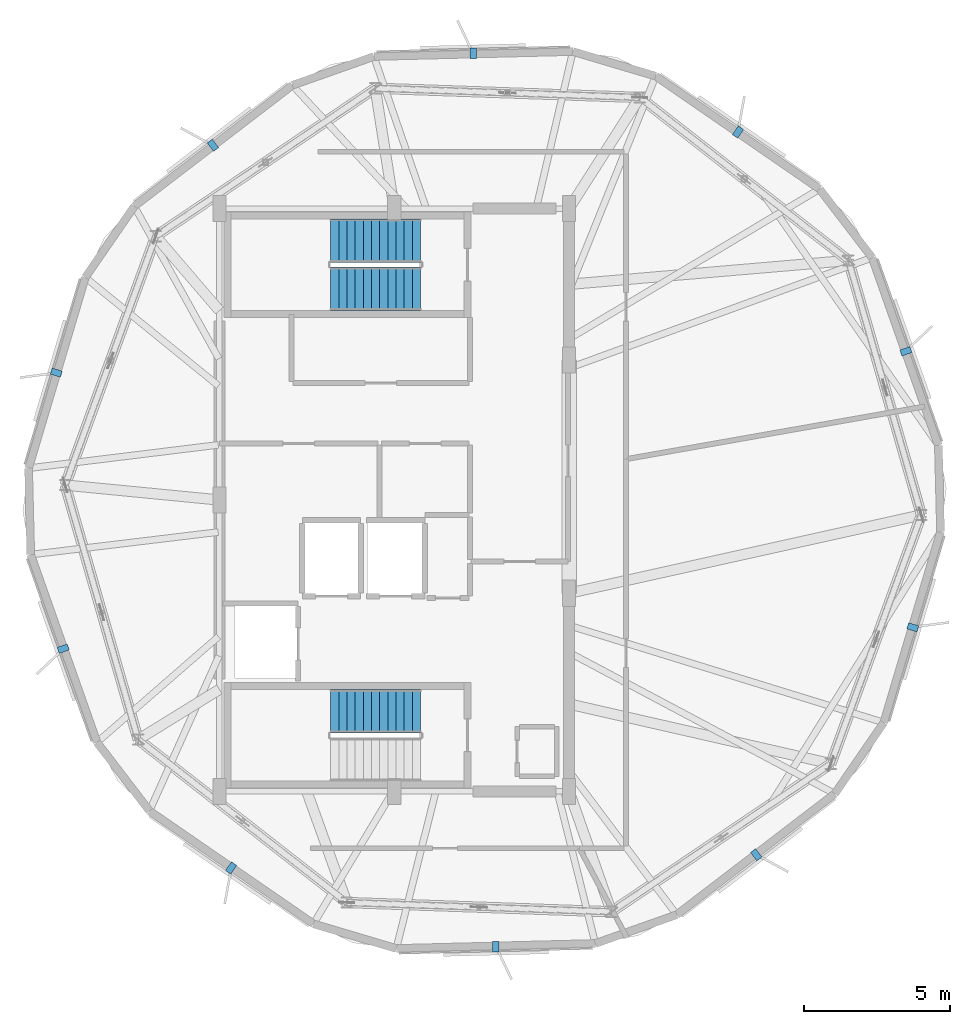
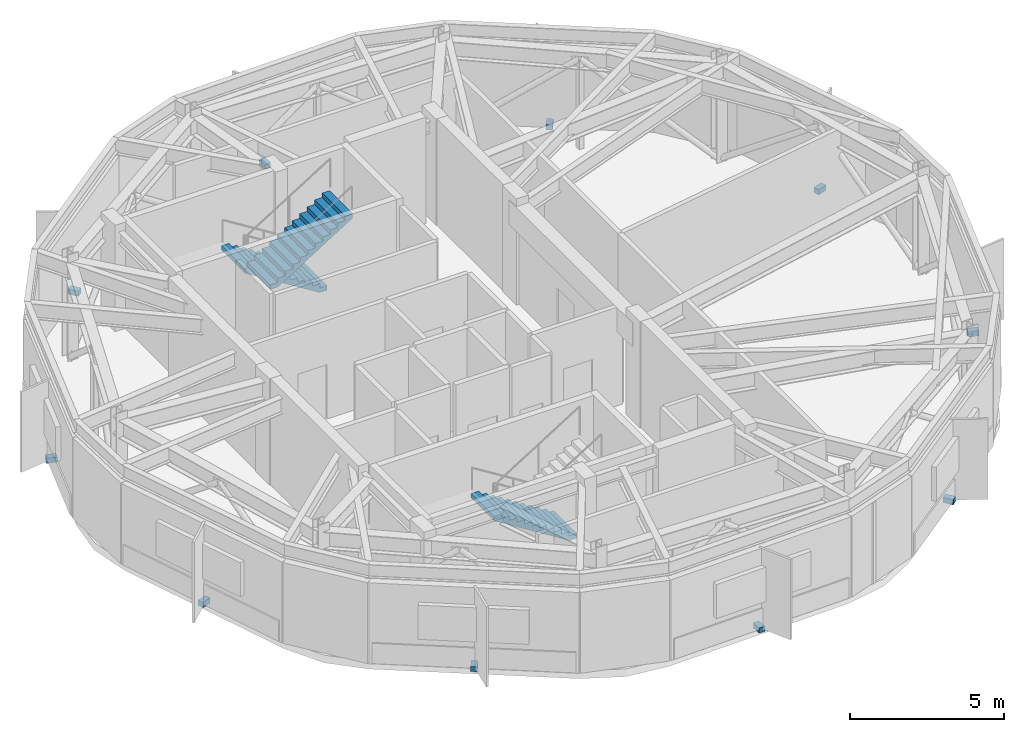
# One storey, part 6 of 9: 10 discrete accessories, 3 stair flights, 2 elements without a shape of their own.
"""IFC4 building model written with IfcOpenShell, lengths in metres."""

import ifcopenshell
import ifcopenshell.guid

model = None  # the IFC model being written
_history = None  # IfcOwnerHistory: only IFC2X3 demands one
_inside = {}  # id of a spatial element -> (the spatial element, [elements in it])
_under = {}  # id of a project, library or spatial element -> (it, [spatial elements below it])
_declared = {}  # id of a project -> (the project, [libraries it declares])
_typed = {}  # id of a type object -> (the type object, [elements of that type])
_made_of = {}  # id of a material, layer set ... -> (it, [elements and type objects made of it])


def new_model(schema):
    """Start an empty IFC model of exactly this schema.

    Asked for "IFC4X3", IfcOpenShell would pick the latest addendum, in which some entities
    have other attributes; the version numbers below select the first issue.
    IFC2X3 requires an IfcOwnerHistory on every rooted entity: one is made here for all.
    """
    global model, _history
    if schema == "IFC4X3":
        model = ifcopenshell.file(schema_version=(4, 3, 0, 0))
    else:
        model = ifcopenshell.file(schema=schema)
    _inside.clear()
    _under.clear()
    _declared.clear()
    _typed.clear()
    _made_of.clear()
    _history = None
    if model.schema == "IFC2X3":
        org = make("IfcOrganization", Name="unknown")
        user = make(
            "IfcPersonAndOrganization",
            ThePerson=make("IfcPerson", FamilyName="unknown"),
            TheOrganization=org,
        )
        app = make(
            "IfcApplication",
            ApplicationDeveloper=org,
            Version="unknown",
            ApplicationFullName="unknown",
            ApplicationIdentifier="unknown",
        )
        _history = make(
            "IfcOwnerHistory",
            OwningUser=user,
            OwningApplication=app,
            ChangeAction="ADDED",
            CreationDate=0,
        )
    return model


def make(cls, **values):
    """One entity of the class cls with the attributes given. An attribute that is None is left unset."""
    return model.create_entity(
        cls, **{name: value for name, value in values.items() if value is not None}
    )


def rooted(cls, **values):
    """An entity with a GlobalId (a new one), such as an element, a storey or a relation."""
    return make(cls, GlobalId=ifcopenshell.guid.new(), OwnerHistory=_history, **values)


def si_unit(unit_type, name, prefix=None):
    """IfcSIUnit, for example si_unit("LENGTHUNIT", "METRE", prefix="MILLI")."""
    return make("IfcSIUnit", UnitType=unit_type, Prefix=prefix, Name=name)


def assignment(units):
    """IfcUnitAssignment: the units of a project."""
    return None if units is None else make("IfcUnitAssignment", Units=units)


def point(xyz):
    """IfcCartesianPoint."""
    return None if xyz is None else make("IfcCartesianPoint", Coordinates=xyz)


def direction(xyz):
    """IfcDirection."""
    return None if xyz is None else make("IfcDirection", DirectionRatios=xyz)


def frame(location, z_axis=None, x_axis=None):
    """IfcAxis2Placement3D, a coordinate frame: its origin and axes. An axis left out is left unset."""
    return make(
        "IfcAxis2Placement3D",
        Location=point(location),
        Axis=direction(z_axis),
        RefDirection=direction(x_axis),
    )


def frame_2d(location, x_axis=None):
    """IfcAxis2Placement2D, a coordinate frame in the plane: its origin and x axis."""
    return make(
        "IfcAxis2Placement2D", Location=point(location), RefDirection=direction(x_axis)
    )


def origin():
    """The frame at (0, 0, 0) with its axes left unset."""
    return frame((0.0, 0.0, 0.0))


def origin_2d():
    """The frame at (0, 0) in the plane with its x axis left unset."""
    return frame_2d((0.0, 0.0))


def place(relative_to, where):
    """IfcLocalPlacement: puts the frame where relative to a parent placement (None: the world)."""
    return make(
        "IfcLocalPlacement", PlacementRelTo=relative_to, RelativePlacement=where
    )


def context(
    kind, dimensions, precision=None, world=None, true_north=None, identifier=None
):
    """IfcGeometricRepresentationContext, for example the 3D "Model" context."""
    return make(
        "IfcGeometricRepresentationContext",
        ContextIdentifier=identifier,
        ContextType=kind,
        CoordinateSpaceDimension=dimensions,
        Precision=precision,
        WorldCoordinateSystem=world,
        TrueNorth=true_north,
    )


def subcontext(parent, identifier, kind, view, scale=None):
    """IfcGeometricRepresentationSubContext, for example "Body" below "Model"."""
    return make(
        "IfcGeometricRepresentationSubContext",
        ContextIdentifier=identifier,
        ContextType=kind,
        ParentContext=parent,
        TargetScale=scale,
        TargetView=view,
    )


def project(units=None, contexts=None):
    """IfcProject with its units and contexts."""
    return rooted(
        "IfcProject",
        Name="project",
        RepresentationContexts=contexts,
        UnitsInContext=assignment(units),
    )


def spatial(cls, under=None, at=None, **own):
    """A site, building, storey or space (cls), placed at a placement, below another one or the project."""
    s = rooted(cls, ObjectPlacement=at, **own)
    if under is not None:
        _under.setdefault(under.id(), (under, []))[1].append(s)
    return s


def polyline(points):
    """IfcPolyline through the points."""
    return make("IfcPolyline", Points=[point(p) for p in points])


def profile(cls, at=None, kind="AREA", **sizes):
    """A parametric profile (cls). Its sizes go by their IFC names, for example OverallWidth=200.0."""
    return make(cls, ProfileType=kind, Position=at, **sizes)


def rectangle(**sizes):
    """IfcRectangleProfileDef."""
    return profile("IfcRectangleProfileDef", **sizes)


def outline(outer, holes=None, kind="AREA"):
    """IfcArbitraryClosedProfileDef: a profile drawn as a closed curve; with holes, ...WithVoids."""
    if holes is None:
        return make("IfcArbitraryClosedProfileDef", ProfileType=kind, OuterCurve=outer)
    return make(
        "IfcArbitraryProfileDefWithVoids",
        ProfileType=kind,
        OuterCurve=outer,
        InnerCurves=holes,
    )


def extrude(swept, where, along, depth):
    """IfcExtrudedAreaSolid: the profile swept, set in the frame where, extruded along a direction by depth."""
    return make(
        "IfcExtrudedAreaSolid",
        SweptArea=swept,
        Position=where,
        ExtrudedDirection=direction(along),
        Depth=depth,
    )


def shape(context_of_items, identifier, shape_type, items):
    """IfcShapeRepresentation: the items that make up one representation, for example the "Body"."""
    return make(
        "IfcShapeRepresentation",
        ContextOfItems=context_of_items,
        RepresentationIdentifier=identifier,
        RepresentationType=shape_type,
        Items=items,
    )


def material(Name=None, Category=None):
    """IfcMaterial."""
    return make("IfcMaterial", Name=Name, Category=Category)


def layer(
    of_material, thickness, ventilated=None, Name=None, Category=None, Priority=None
):
    """IfcMaterialLayer: one layer of a wall or slab, of a material (None: an air gap)."""
    return make(
        "IfcMaterialLayer",
        Material=of_material,
        LayerThickness=thickness,
        IsVentilated=ventilated,
        Name=Name,
        Category=Category,
        Priority=Priority,
    )


def layer_set(layers, Name=None):
    """IfcMaterialLayerSet."""
    return make("IfcMaterialLayerSet", MaterialLayers=layers, LayerSetName=Name)


def made_of(thing, what):
    """Note that an element or type object is made of a material, layer set ...; save() writes the relation."""
    if what is not None:
        _made_of.setdefault(what.id(), (what, []))[1].append(thing)
    return thing


def type_object(cls, material=None, **own):
    """A type object (cls), such as IfcWallType, which elements share."""
    return made_of(rooted(cls, **own), material)


def element(
    cls,
    number,
    at=None,
    inside=None,
    cuts=None,
    type_object=None,
    material=None,
    context=None,
    identifier="Body",
    shape_type=None,
    held_by="IfcProductDefinitionShape",
    body=None,
    shapes=None,
    **own,
):
    """One element of the class cls, such as IfcWall. Its Tag is "e" and its number.

    at: its placement. inside: the storey or other place that contains it. cuts: it is an
    opening in that element (IfcRelVoidsElement). A single representation is given by context,
    identifier, shape_type and body (its items); several are given by shapes. held_by: the class
    of the entity that holds the representations. save() writes the other relations.
    """
    e = rooted(cls, Tag="e%d" % number, ObjectPlacement=at, **own)
    if body is not None:
        shapes = [shape(context, identifier, shape_type, body)]
    if shapes is not None:
        e.Representation = make(held_by, Representations=shapes)
    if inside is not None:
        _inside.setdefault(inside.id(), (inside, []))[1].append(e)
    if cuts is not None:
        rooted(
            "IfcRelVoidsElement", RelatingBuildingElement=cuts, RelatedOpeningElement=e
        )
    if type_object is not None:
        _typed.setdefault(type_object.id(), (type_object, []))[1].append(e)
    return made_of(e, material)


def aggregate(whole, parts):
    """IfcRelAggregates: a whole, such as a stair, and the parts it consists of."""
    return rooted("IfcRelAggregates", RelatingObject=whole, RelatedObjects=parts)


def save(model, path):
    """Write the relations noted so far, then the file.

    IfcRelAggregates (storeys below a building ...), IfcRelContainedInSpatialStructure (elements
    in a storey), IfcRelDefinesByType, IfcRelAssociatesMaterial and IfcRelDeclares: one each for
    every whole, place, type object, material and project.
    """
    for whole, parts in _under.values():
        aggregate(whole, parts)
    for where, things in _inside.values():
        rooted(
            "IfcRelContainedInSpatialStructure",
            RelatedElements=things,
            RelatingStructure=where,
        )
    for kind, things in _typed.values():
        rooted("IfcRelDefinesByType", RelatedObjects=things, RelatingType=kind)
    for what, things in _made_of.values():
        rooted("IfcRelAssociatesMaterial", RelatedObjects=things, RelatingMaterial=what)
    for by, libraries in _declared.values():
        rooted("IfcRelDeclares", RelatingContext=by, RelatedDefinitions=libraries)
    model.write(path)


model = new_model("IFC4")

# Units and contexts
model_context = context("Model", 3, precision=1e-05, world=origin(), true_north=direction((0.0, 1.0)))
body_context = subcontext(model_context, "Body", "Model", "MODEL_VIEW")
ifc_project = project(units=[si_unit("LENGTHUNIT", "METRE"), si_unit("AREAUNIT", "SQUARE_METRE"), si_unit("VOLUMEUNIT", "CUBIC_METRE"), si_unit("PLANEANGLEUNIT", "RADIAN"), si_unit("MASSUNIT", "GRAM", prefix="KILO")], contexts=[model_context])

# Site, building, storey
site_placement = place(None, origin())
site = spatial("IfcSite", under=ifc_project, at=site_placement, CompositionType="ELEMENT")
building_placement = place(site_placement, origin())
building = spatial("IfcBuilding", under=site, at=building_placement, Name="Soratama Intermodal Tower", CompositionType="ELEMENT")
storey_placement = place(building_placement, frame((0.0, 0.0, 305.64990234375)))
storey = spatial("IfcBuildingStorey", under=building, at=storey_placement, Name="L77", CompositionType="ELEMENT", Elevation=305.64990234375)

# Stair, stair flight
ifc_material_1 = material(Name="Concrete f'c 42 MPa", Category="concrete")
stair_type = type_object("IfcStairType", Name="ST-CORE-DOGLEG", PredefinedType="HALF_TURN_STAIR", material=ifc_material_1)
stair_1_placement = place(storey_placement, origin())
stair_1 = element("IfcStair", 1, at=stair_1_placement, inside=storey, type_object=stair_type, Name="L77 ST-1", PredefinedType="HALF_TURN_STAIR")
ifc_material_2 = material(Name="Precast concrete f'c 40 MPa", Category="concrete")
ifc_layer = layer(ifc_material_2, 0.199951171875)
ifc_layer_set = layer_set([ifc_layer], Name="Precast concrete f'c 40 MPa")
stair_flight_type = type_object("IfcStairFlightType", Name="SF-FLIGHT-RC", PredefinedType="STRAIGHT", material=ifc_layer_set)
stair_flight_1_placement = place(storey_placement, frame((39.5, 17.75, 0.0), z_axis=(0.0, 0.0, 1.0), x_axis=(-1.0, 0.0, 0.0)))
stair_flight_1 = element("IfcStairFlight", 2, at=stair_flight_1_placement, type_object=stair_flight_type, Name="ST-1 flight 1", NumberOfRisers=12, NumberOfTreads=11, PredefinedType="STRAIGHT", RiserHeight=0.175, TreadLength=0.28, context=body_context, shape_type="SweptSolid", body=[
    extrude(outline(polyline([(0.0, 0.0), (0.0, 0.175048828125), (0.280029296875, 0.175048828125), (0.280029296875, 0.35009765625), (0.56005859375, 0.35009765625), (0.56005859375, 0.52490234375), (0.840087890625, 0.52490234375), (0.840087890625, 0.699951171875), (1.1201171875, 0.699951171875), (1.1201171875, 0.875), (1.39990234375, 0.875), (1.39990234375, 1.050048828125), (1.679931640625, 1.050048828125), (1.679931640625, 1.22509765625), (1.9599609375, 1.22509765625), (1.9599609375, 1.39990234375), (2.239990234375, 1.39990234375), (2.239990234375, 1.574951171875), (2.52001953125, 1.574951171875), (2.52001953125, 1.75), (2.800048828125, 1.75), (2.800048828125, 1.925048828125), (3.080078125, 1.925048828125), (3.080078125, 2.10009765625), (3.080078125, 1.748291015625), (0.28271484375, 0.0), (0.0, 0.0)])), frame((0.0, 0.75, 0.0), z_axis=(0.0, -1.0, 0.0), x_axis=(1.0, 0.0, 0.0)), (0.0, 0.0, 1.0), 1.5),
])
aggregate(stair_1, [stair_flight_1])

# Stair, stair flights
stair_2_placement = place(storey_placement, origin())
stair_2 = element("IfcStair", 3, at=stair_2_placement, inside=storey, type_object=stair_type, Name="L77 ST-2", PredefinedType="HALF_TURN_STAIR")
stair_flight_2_placement = place(storey_placement, frame((39.5, 33.89990234375, 0.0), z_axis=(0.0, 0.0, 1.0), x_axis=(-1.0, 0.0, 0.0)))
stair_flight_2 = element("IfcStairFlight", 4, at=stair_flight_2_placement, type_object=stair_flight_type, Name="ST-2 flight 1", NumberOfRisers=12, NumberOfTreads=11, PredefinedType="STRAIGHT", RiserHeight=0.175, TreadLength=0.28, context=body_context, shape_type="SweptSolid", body=[
    extrude(outline(polyline([(0.0, 0.0), (0.0, 0.175048828125), (0.280029296875, 0.175048828125), (0.280029296875, 0.35009765625), (0.56005859375, 0.35009765625), (0.56005859375, 0.52490234375), (0.840087890625, 0.52490234375), (0.840087890625, 0.699951171875), (1.1201171875, 0.699951171875), (1.1201171875, 0.875), (1.39990234375, 0.875), (1.39990234375, 1.050048828125), (1.679931640625, 1.050048828125), (1.679931640625, 1.22509765625), (1.9599609375, 1.22509765625), (1.9599609375, 1.39990234375), (2.239990234375, 1.39990234375), (2.239990234375, 1.574951171875), (2.52001953125, 1.574951171875), (2.52001953125, 1.75), (2.800048828125, 1.75), (2.800048828125, 1.925048828125), (3.080078125, 1.925048828125), (3.080078125, 2.10009765625), (3.080078125, 1.748291015625), (0.28271484375, 0.0), (0.0, 0.0)])), frame((0.0, 0.75, 0.0), z_axis=(0.0, -1.0, 0.0), x_axis=(1.0, 0.0, 0.0)), (0.0, 0.0, 1.0), 1.5),
])
stair_flight_3_placement = place(storey_placement, frame((36.419921875, 32.25, 2.10009765625), z_axis=(0.0, 0.0, 1.0), x_axis=(1.0, 0.0, 0.0)))
stair_flight_3 = element("IfcStairFlight", 5, at=stair_flight_3_placement, type_object=stair_flight_type, Name="ST-2 flight 2", NumberOfRisers=12, NumberOfTreads=11, PredefinedType="STRAIGHT", RiserHeight=0.175, TreadLength=0.28, context=body_context, shape_type="SweptSolid", body=[
    extrude(outline(polyline([(0.0, 0.0), (0.0, 0.175048828125), (0.280029296875, 0.175048828125), (0.280029296875, 0.35009765625), (0.56005859375, 0.35009765625), (0.56005859375, 0.52490234375), (0.840087890625, 0.52490234375), (0.840087890625, 0.699951171875), (1.1201171875, 0.699951171875), (1.1201171875, 0.875), (1.39990234375, 0.875), (1.39990234375, 1.050048828125), (1.679931640625, 1.050048828125), (1.679931640625, 1.22509765625), (1.9599609375, 1.22509765625), (1.9599609375, 1.39990234375), (2.239990234375, 1.39990234375), (2.239990234375, 1.574951171875), (2.52001953125, 1.574951171875), (2.52001953125, 1.75), (2.800048828125, 1.75), (2.800048828125, 1.925048828125), (3.080078125, 1.925048828125), (3.080078125, 2.10009765625), (3.080078125, 1.748291015625), (0.28271484375, 0.0), (0.0, 0.0)])), frame((0.0, 0.75, 0.0), z_axis=(0.0, -1.0, 0.0), x_axis=(1.0, 0.0, 0.0)), (0.0, 0.0, 1.0), 1.5),
])
aggregate(stair_2, [stair_flight_2, stair_flight_3])

# Discrete accessories
ifc_material_3 = material(Name="Structural steel ASTM A992 Grade 50", Category="steel")
discrete_accessory_type = type_object("IfcDiscreteAccessoryType", Name="AC-FIN-BRACKET", PredefinedType="BRACKET", material=ifc_material_3)
for number, where, z_axis, x_axis, name in (
    (6, (41.314697265625, 40.3271484375, -0.080078125), (0.0, 0.0, 1.0), (-0.025130095443, 0.999684189283, 0.0), "L77 Fin Bracket F01-1"),
    (7, (32.379150390625, 37.173583984375, -0.080078125), (0.0, 0.0, 1.0), (-0.607930297695, 0.793990398648, 0.0), "L77 Fin Bracket F02-1"),
    (8, (27.00390625, 29.369873046875, -0.080078125), (0.0, 0.0, 1.0), (-0.958521789017, 0.28501926247, 0.0), "L77 Fin Bracket F03-1"),
    (9, (27.2421875, 19.897216796875, -0.080078125), (0.0, 0.0, 1.0), (-0.942990535893, -0.332819544523, 0.0), "L77 Fin Bracket F04-1"),
    (10, (33.002685546875, 12.37353515625, -0.080078125), (0.0, 0.0, 1.0), (-0.567268949127, -0.823532597628, 0.0), "L77 Fin Bracket F05-1"),
    (11, (42.085205078125, 9.6728515625, -0.080078125), (0.0, 0.0, 1.0), (0.025130095443, -0.999684189283, 0.0), "L77 Fin Bracket F06-1"),
    (12, (51.020751953125, 12.826416015625, -0.080078125), (0.0, 0.0, 1.0), (0.607930297695, -0.793990398648, 0.0), "L77 Fin Bracket F07-1"),
    (13, (56.39599609375, 20.630126953125, -0.080078125), (0.0, 0.0, 1.0), (0.958521789017, -0.28501926247, 0.0), "L77 Fin Bracket F08-1"),
    (14, (56.157958984375, 30.102783203125, -0.080078125), (0.0, 0.0, 1.0), (0.942990535893, 0.332819544523, 0.0), "L77 Fin Bracket F09-1"),
    (15, (50.3974609375, 37.62646484375, -0.080078125), (0.0, 0.0, 1.0), (0.567268949127, 0.823532597628, 0.0), "L77 Fin Bracket F10-1"),
):
    element("IfcDiscreteAccessory", number, at=place(storey_placement, frame(where, z_axis=z_axis, x_axis=x_axis)), inside=storey, type_object=discrete_accessory_type, Name=name, PredefinedType="BRACKET", context=body_context, shape_type="SweptSolid", body=[
        extrude(rectangle(XDim=0.360107421875, YDim=0.219970703125, at=origin_2d()), origin(), (0.0, 0.0, 1.0), 0.199951171875),
    ])

save(model, "model.ifc")
